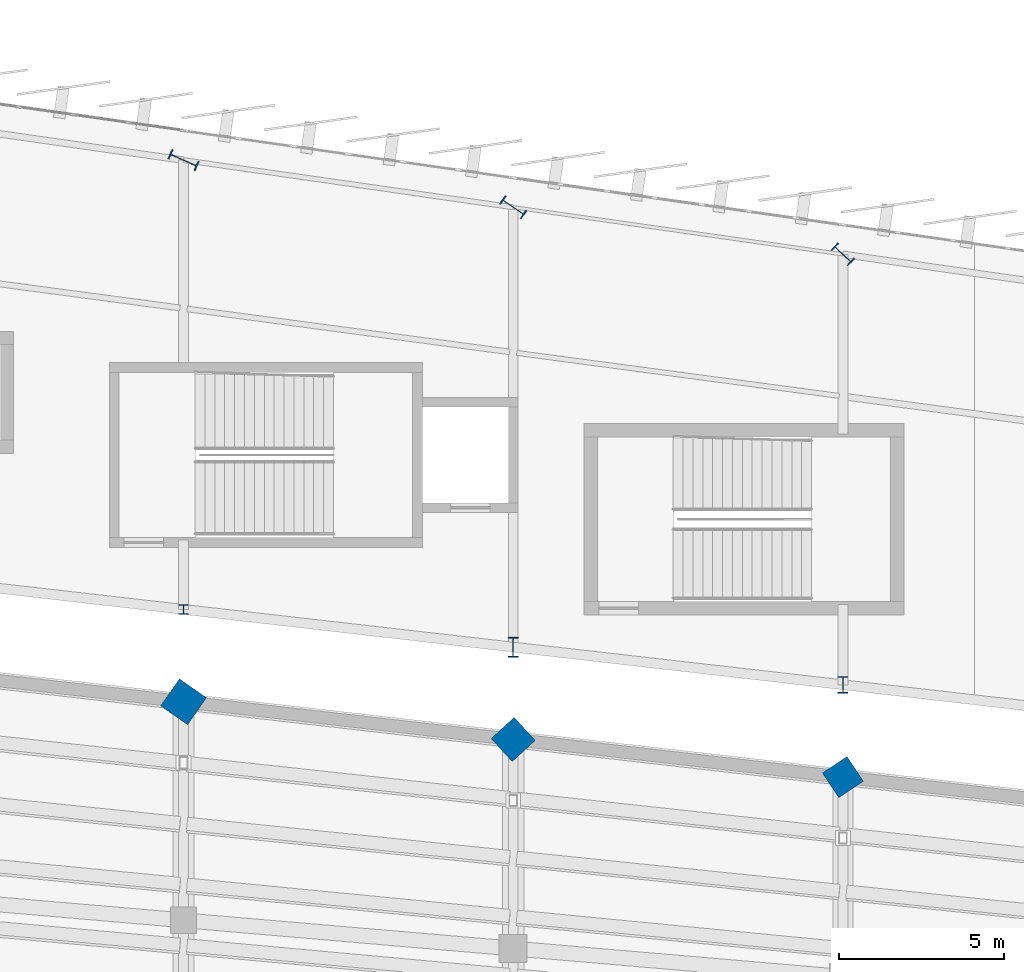
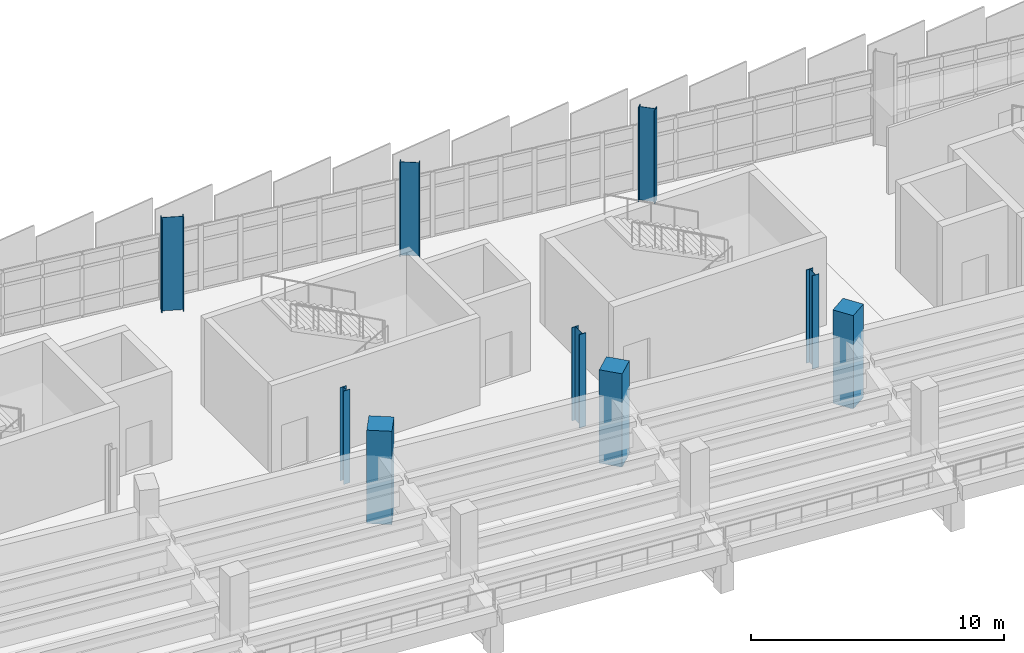
# One storey, part 16 of 120: 9 columns.
"""IFC4 building model written with IfcOpenShell, lengths in metres."""

from ifc_helpers import new_model, si_unit, direction, frame, origin, origin_2d, place, context, subcontext, project, spatial, rectangle, i_section, extrude, material, material_profile, profile_set, type_object, element, save


model = new_model("IFC4")

# Units and contexts
model_context = context("Model", 3, precision=1e-05, world=origin(), true_north=direction((0.0, 1.0)))
body_context = subcontext(model_context, "Body", "Model", "MODEL_VIEW")
ifc_project = project(units=[si_unit("LENGTHUNIT", "METRE"), si_unit("AREAUNIT", "SQUARE_METRE"), si_unit("VOLUMEUNIT", "CUBIC_METRE"), si_unit("PLANEANGLEUNIT", "RADIAN"), si_unit("MASSUNIT", "GRAM", prefix="KILO")], contexts=[model_context])

# Site, building, storey
site_placement = place(None, origin())
site = spatial("IfcSite", under=ifc_project, at=site_placement, CompositionType="ELEMENT")
building_placement = place(site_placement, origin())
building = spatial("IfcBuilding", under=site, at=building_placement, Name="Sohan Crest Arena", CompositionType="ELEMENT")
storey_placement = place(building_placement, frame((0.0, 0.0, 13.5)))
storey = spatial("IfcBuildingStorey", under=building, at=storey_placement, Name="L03", CompositionType="ELEMENT", Elevation=13.5)

# Columns
ifc_material_1 = material(Name="Concrete C40/50", Category="concrete")
ifc_material_profile_1 = material_profile(ifc_material_1, rectangle(XDim=0.89990234375, YDim=0.89990234375, at=origin_2d()), Name="RC 900x900")
ifc_profile_set_1 = profile_set([ifc_material_profile_1], Name="Concrete C40/50")
column_type_1 = type_object("IfcColumnType", Name="STR-COL-C07", PredefinedType="COLUMN", material=ifc_profile_set_1)
column_1_placement = place(storey_placement, frame((138.0, 104.428955078125, 0.0), z_axis=(0.0, 0.0, 1.0), x_axis=(0.833885822067, 0.551936985312, 0.0)))
element("IfcColumn", 1, at=column_1_placement, inside=storey, type_object=column_type_1, Name="Structural column COL-V1R-31-L03", PredefinedType="COLUMN", context=body_context, shape_type="SweptSolid", body=[
    extrude(rectangle(XDim=0.89990234375, YDim=0.89990234375, at=origin_2d()), origin(), (0.0, 0.0, 1.0), 4.5),
])
ifc_material_profile_2 = material_profile(ifc_material_1, rectangle(XDim=0.949951171875, YDim=0.949951171875, at=origin_2d()), Name="RC 950x950")
ifc_profile_set_2 = profile_set([ifc_material_profile_2], Name="Concrete C40/50")
column_type_2 = type_object("IfcColumnType", Name="STR-COL-C08", PredefinedType="COLUMN", material=ifc_profile_set_2)
column_2_placement = place(storey_placement, frame((128.0, 105.571044921875, 0.0), z_axis=(0.0, 0.0, 1.0), x_axis=(0.73609708712, 0.676875969683, 0.0)))
element("IfcColumn", 2, at=column_2_placement, inside=storey, type_object=column_type_2, Name="Structural column COL-V1R-32-L03", PredefinedType="COLUMN", context=body_context, shape_type="SweptSolid", body=[
    extrude(rectangle(XDim=0.949951171875, YDim=0.949951171875, at=origin_2d()), origin(), (0.0, 0.0, 1.0), 4.5),
])
ifc_material_profile_3 = material_profile(ifc_material_1, rectangle(XDim=1.0, YDim=1.0, at=origin_2d()), Name="RC 1000x1000")
ifc_profile_set_3 = profile_set([ifc_material_profile_3], Name="Concrete C40/50")
column_type_3 = type_object("IfcColumnType", Name="STR-COL-C09", PredefinedType="COLUMN", material=ifc_profile_set_3)
column_3_placement = place(storey_placement, frame((118.0, 106.714111328125, 0.0), z_axis=(0.0, 0.0, 1.0), x_axis=(0.572145873446, 0.820151875874, 0.0)))
element("IfcColumn", 3, at=column_3_placement, inside=storey, type_object=column_type_3, Name="Structural column COL-V1R-33-L03", PredefinedType="COLUMN", context=body_context, shape_type="SweptSolid", body=[
    extrude(rectangle(XDim=1.0, YDim=1.0, at=origin_2d()), origin(), (0.0, 0.0, 1.0), 4.5),
])
ifc_material_2 = material(Name="Steel S355", Category="steel")
ifc_material_profile_4 = material_profile(ifc_material_2, i_section(OverallWidth=0.300048828125, OverallDepth=0.300048828125, WebThickness=0.010986328125, FlangeThickness=0.01904296875, at=origin_2d()), Name="HEB 300")
ifc_profile_set_4 = profile_set([ifc_material_profile_4], Name="Steel S355")
column_type_4 = type_object("IfcColumnType", Name="STR-COL-C17", PredefinedType="COLUMN", material=ifc_profile_set_4)
column_4_placement = place(storey_placement, frame((118.0, 109.513916015625, 0.0), z_axis=(0.0, 0.0, 1.0), x_axis=(1.0, 0.0, 0.0)))
element("IfcColumn", 4, at=column_4_placement, inside=storey, type_object=column_type_4, Name="Structural column COL-V2I-33-L03", PredefinedType="COLUMN", context=body_context, shape_type="SweptSolid", body=[
    extrude(i_section(OverallWidth=0.300048828125, OverallDepth=0.300048828125, WebThickness=0.010986328125, FlangeThickness=0.01904296875, at=origin_2d()), origin(), (0.0, 0.0, 1.0), 4.5),
])
ifc_material_profile_5 = material_profile(ifc_material_2, i_section(OverallWidth=0.300048828125, OverallDepth=0.5, WebThickness=0.014404296875, FlangeThickness=0.028076171875, at=origin_2d()), Name="HEB 500")
ifc_profile_set_5 = profile_set([ifc_material_profile_5], Name="Steel S355")
column_type_5 = type_object("IfcColumnType", Name="STR-COL-C19", PredefinedType="COLUMN", material=ifc_profile_set_5)
column_5_placement = place(storey_placement, frame((138.0, 107.22900390625, 0.0), z_axis=(0.0, 0.0, 1.0), x_axis=(1.0, 0.0, 0.0)))
element("IfcColumn", 5, at=column_5_placement, inside=storey, type_object=column_type_5, Name="Structural column COL-V2I-31-L03", PredefinedType="COLUMN", context=body_context, shape_type="SweptSolid", body=[
    extrude(i_section(OverallWidth=0.300048828125, OverallDepth=0.5, WebThickness=0.014404296875, FlangeThickness=0.028076171875, at=origin_2d()), origin(), (0.0, 0.0, 1.0), 4.5),
])
ifc_material_profile_6 = material_profile(ifc_material_2, i_section(OverallWidth=0.300048828125, OverallDepth=0.60009765625, WebThickness=0.015380859375, FlangeThickness=0.030029296875, at=origin_2d()), Name="HEB 600")
ifc_profile_set_6 = profile_set([ifc_material_profile_6], Name="Steel S355")
column_type_6 = type_object("IfcColumnType", Name="STR-COL-C20", PredefinedType="COLUMN", material=ifc_profile_set_6)
column_6_placement = place(storey_placement, frame((128.0, 108.37109375, 0.0), z_axis=(0.0, 0.0, 1.0), x_axis=(1.0, 0.0, 0.0)))
element("IfcColumn", 6, at=column_6_placement, inside=storey, type_object=column_type_6, Name="Structural column COL-V2I-32-L03", PredefinedType="COLUMN", context=body_context, shape_type="SweptSolid", body=[
    extrude(i_section(OverallWidth=0.300048828125, OverallDepth=0.60009765625, WebThickness=0.015380859375, FlangeThickness=0.030029296875, at=origin_2d()), origin(), (0.0, 0.0, 1.0), 4.5),
])
ifc_material_profile_7 = material_profile(ifc_material_2, i_section(OverallWidth=0.300048828125, OverallDepth=0.699951171875, WebThickness=0.01708984375, FlangeThickness=0.031982421875, at=origin_2d()), Name="HEB 700")
ifc_profile_set_7 = profile_set([ifc_material_profile_7], Name="Steel S355")
column_type_7 = type_object("IfcColumnType", Name="STR-COL-C21", PredefinedType="COLUMN", material=ifc_profile_set_7)
column_7_placement = place(storey_placement, frame((138.0, 120.285888671875, 0.0), z_axis=(0.0, 0.0, 1.0), x_axis=(0.687087510804, 0.726574670971, 0.0)))
element("IfcColumn", 7, at=column_7_placement, inside=storey, type_object=column_type_7, Name="Structural column COL-V2O-31-L03", PredefinedType="COLUMN", context=body_context, shape_type="SweptSolid", body=[
    extrude(i_section(OverallWidth=0.300048828125, OverallDepth=0.699951171875, WebThickness=0.01708984375, FlangeThickness=0.031982421875, at=origin_2d()), origin(), (0.0, 0.0, 1.0), 4.5),
])
ifc_material_profile_8 = material_profile(ifc_material_2, i_section(OverallWidth=0.300048828125, OverallDepth=0.800048828125, WebThickness=0.017578125, FlangeThickness=0.032958984375, at=origin_2d()), Name="HEB 800")
ifc_profile_set_8 = profile_set([ifc_material_profile_8], Name="Steel S355")
column_type_8 = type_object("IfcColumnType", Name="STR-COL-C22", PredefinedType="COLUMN", material=ifc_profile_set_8)
column_8_placement = place(storey_placement, frame((128.0, 121.714111328125, 0.0), z_axis=(0.0, 0.0, 1.0), x_axis=(0.566406236925, 0.824126188622, 0.0)))
element("IfcColumn", 8, at=column_8_placement, inside=storey, type_object=column_type_8, Name="Structural column COL-V2O-32-L03", PredefinedType="COLUMN", context=body_context, shape_type="SweptSolid", body=[
    extrude(i_section(OverallWidth=0.300048828125, OverallDepth=0.800048828125, WebThickness=0.017578125, FlangeThickness=0.032958984375, at=origin_2d()), origin(), (0.0, 0.0, 1.0), 4.5),
])
ifc_material_profile_9 = material_profile(ifc_material_2, i_section(OverallWidth=0.300048828125, OverallDepth=0.89990234375, WebThickness=0.0185546875, FlangeThickness=0.034912109375, at=origin_2d()), Name="HEB 900")
ifc_profile_set_9 = profile_set([ifc_material_profile_9], Name="Steel S355")
column_type_9 = type_object("IfcColumnType", Name="STR-COL-C23", PredefinedType="COLUMN", material=ifc_profile_set_9)
column_9_placement = place(storey_placement, frame((118.0, 123.14306640625, 0.0), z_axis=(0.0, 0.0, 1.0), x_axis=(0.40514158678, 0.914253955234, 0.0)))
element("IfcColumn", 9, at=column_9_placement, inside=storey, type_object=column_type_9, Name="Structural column COL-V2O-33-L03", PredefinedType="COLUMN", context=body_context, shape_type="SweptSolid", body=[
    extrude(i_section(OverallWidth=0.300048828125, OverallDepth=0.89990234375, WebThickness=0.0185546875, FlangeThickness=0.034912109375, at=origin_2d()), origin(), (0.0, 0.0, 1.0), 4.5),
])

save(model, "model.ifc")
